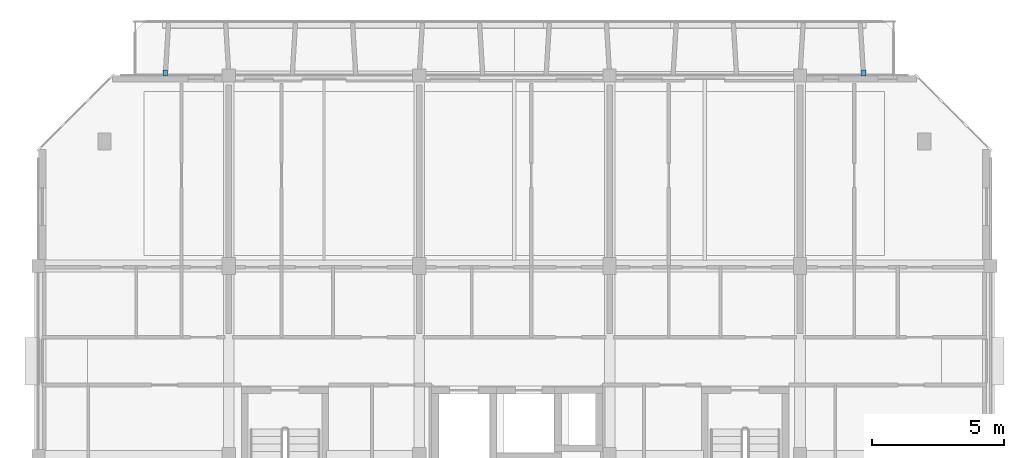
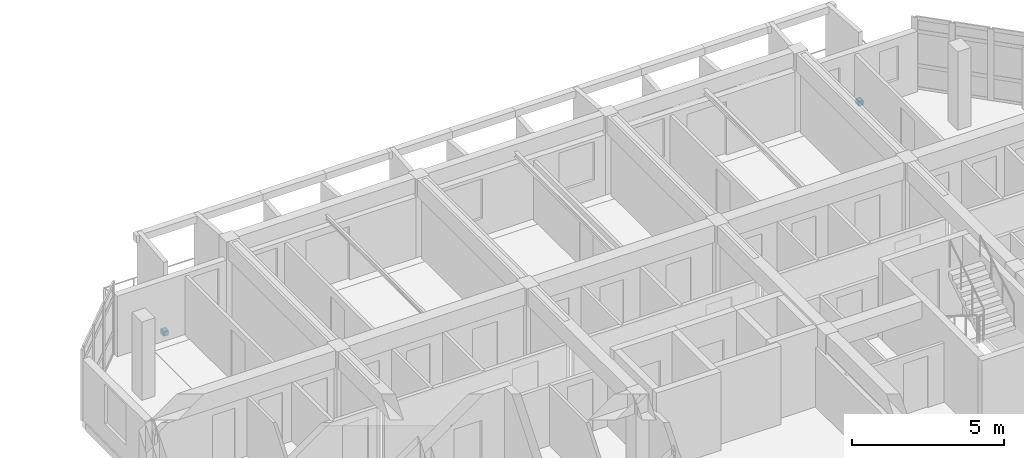
# One storey, part 32 of 40: 2 discrete accessories.
"""IFC4 building model written with IfcOpenShell, lengths in metres."""

from ifc_helpers import new_model, si_unit, direction, frame, origin, origin_2d, place, context, subcontext, project, spatial, rectangle, extrude, material, type_object, element, save


model = new_model("IFC4")

# Units and contexts
model_context = context("Model", 3, precision=1e-05, world=origin(), true_north=direction((0.0, 1.0)))
body_context = subcontext(model_context, "Body", "Model", "MODEL_VIEW")
ifc_project = project(units=[si_unit("LENGTHUNIT", "METRE"), si_unit("AREAUNIT", "SQUARE_METRE"), si_unit("VOLUMEUNIT", "CUBIC_METRE"), si_unit("PLANEANGLEUNIT", "RADIAN"), si_unit("MASSUNIT", "GRAM", prefix="KILO")], contexts=[model_context])

# Site, building, storey
site_placement = place(None, origin())
site = spatial("IfcSite", under=ifc_project, at=site_placement, CompositionType="ELEMENT")
building_placement = place(site_placement, origin())
building = spatial("IfcBuilding", under=site, at=building_placement, Name="Ochrevale Crest", CompositionType="ELEMENT")
storey_placement = place(building_placement, frame((0.0, 0.0, 27.60009765625)))
storey = spatial("IfcBuildingStorey", under=building, at=storey_placement, Name="L08", CompositionType="ELEMENT", Elevation=27.60009765625)

# Discrete accessories
ifc_material = material(Name="Galvanised steel", Category="steel")
discrete_accessory_type = type_object("IfcDiscreteAccessoryType", Name="ACC-BRK-HC", PredefinedType="BRACKET", material=ifc_material)
for number, where, z_axis, x_axis, name in (
    (1, (134.39990234375, 93.699951171875, 0.0), (0.0, 0.0, 1.0), (1.0, 0.0, 0.0), "Block D L08 precast loggia corbel bracket"),
    (2, (160.800048828125, 93.699951171875, 0.0), (0.0, 0.0, 1.0), (1.0, 0.0, 0.0), "Block D L08 precast loggia corbel bracket"),
):
    element("IfcDiscreteAccessory", number, at=place(storey_placement, frame(where, z_axis=z_axis, x_axis=x_axis)), inside=storey, type_object=discrete_accessory_type, Name=name, PredefinedType="BRACKET", context=body_context, shape_type="SweptSolid", body=[
        extrude(rectangle(XDim=0.179931640625, YDim=0.219970703125, at=origin_2d()), origin(), (0.0, 0.0, 1.0), 0.179931640625),
    ])

save(model, "model.ifc")
